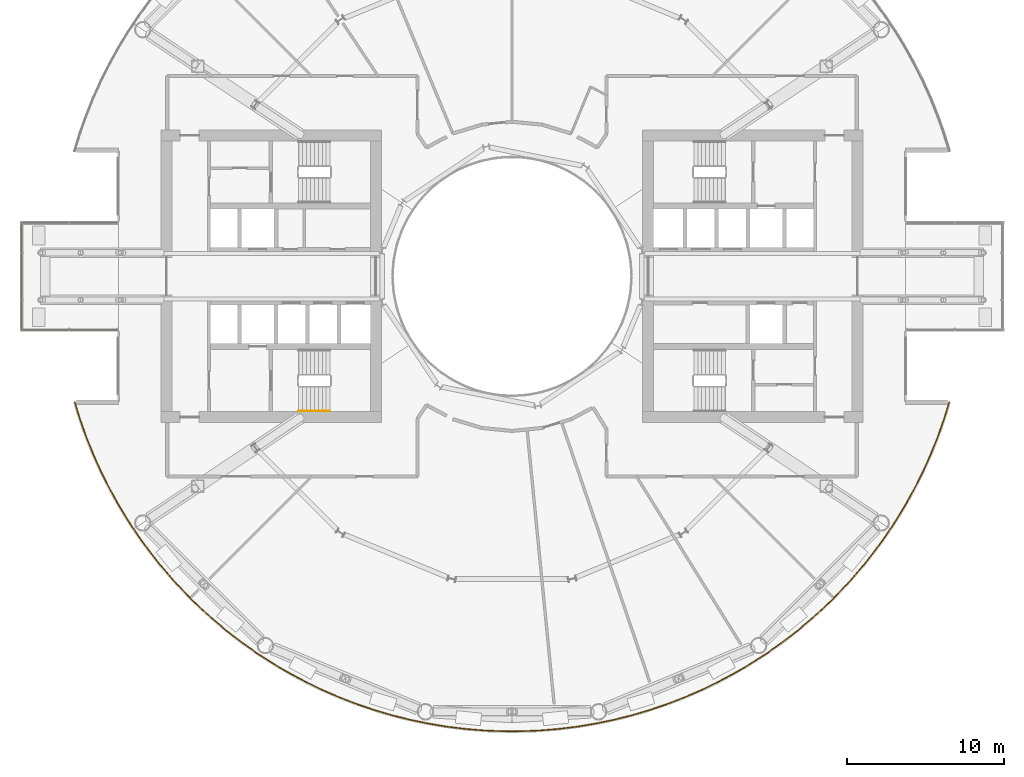
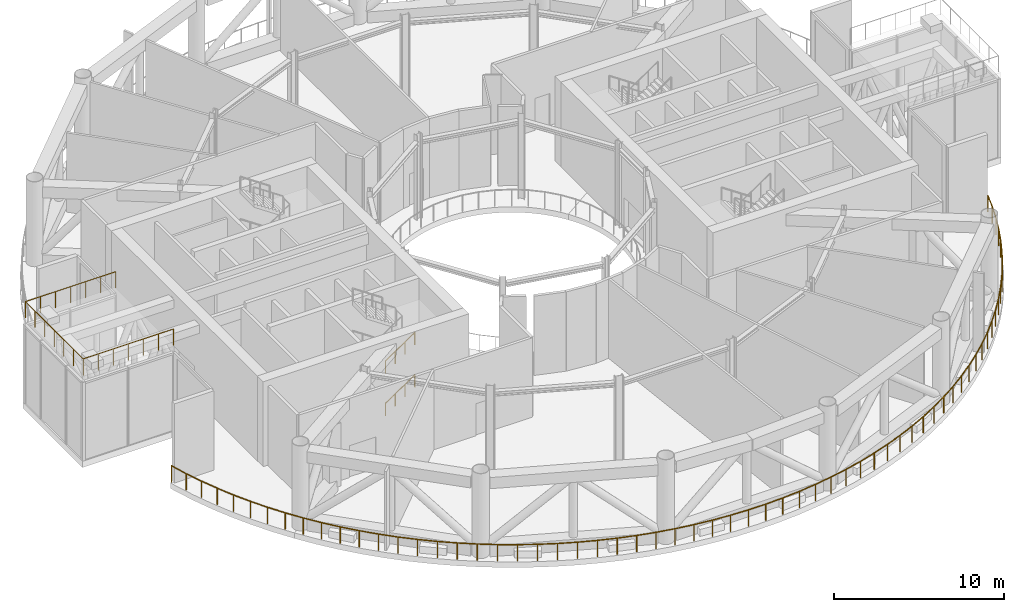
# One storey, part 19 of 23: 4 railings.
"""IFC4 building model written with IfcOpenShell, lengths in metres."""

from ifc_helpers import new_model, si_unit, direction, frame, origin, origin_2d, place, context, subcontext, project, spatial, circle, extrude, material, type_object, element, save


model = new_model("IFC4")

# Units and contexts
model_context = context("Model", 3, precision=1e-05, world=origin(), true_north=direction((0.0, 1.0)))
body_context = subcontext(model_context, "Body", "Model", "MODEL_VIEW")
ifc_project = project(units=[si_unit("LENGTHUNIT", "METRE"), si_unit("AREAUNIT", "SQUARE_METRE"), si_unit("VOLUMEUNIT", "CUBIC_METRE"), si_unit("PLANEANGLEUNIT", "RADIAN"), si_unit("MASSUNIT", "GRAM", prefix="KILO")], contexts=[model_context])

# Site, building, storey
site_placement = place(None, origin())
site = spatial("IfcSite", under=ifc_project, at=site_placement, CompositionType="ELEMENT")
building_placement = place(site_placement, origin())
building = spatial("IfcBuilding", under=site, at=building_placement, Name="Maasbend Ring Residences", CompositionType="ELEMENT")
storey_placement = place(building_placement, frame((0.0, 0.0, 97.14990234375)))
storey = spatial("IfcBuildingStorey", under=building, at=storey_placement, Name="L28", CompositionType="ELEMENT", Elevation=97.14990234375)

# Railings
ifc_material_1 = material(Name="Stainless steel 316 and glass", Category="steel")
railing_type_1 = type_object("IfcRailingType", Name="RL-GUARD", PredefinedType="GUARDRAIL", material=ifc_material_1)
railing_1_placement = place(storey_placement, frame((-27.778564453125, -7.972412109375, 0.0)))
element("IfcRailing", 1, at=railing_1_placement, inside=storey, type_object=railing_type_1, Name="Garden guard outer 2", PredefinedType="GUARDRAIL", context=body_context, shape_type="SweptSolid", body=[
    extrude(circle(Radius=0.02490234375, at=origin_2d()), frame((0.0, 0.0, 1.1748046875), z_axis=(0.295504624123, -0.95534130923, 0.0), x_axis=(0.95534130923, 0.295504624123, 0.0)), (0.0, 0.0, 1.0), 1.184814453125),
    extrude(circle(Radius=0.02490234375, at=origin_2d()), frame((0.35009765625, -1.1318359375, 1.1748046875), z_axis=(0.334285842511, -0.94247173724, 0.0), x_axis=(0.94247173724, 0.334285842511, 0.0)), (0.0, 0.0, 1.0), 1.1845703125),
    extrude(circle(Radius=0.02490234375, at=origin_2d()), frame((0.74609375, -2.248291015625, 1.1748046875), z_axis=(0.372847180885, -0.927892763042, 0.0), x_axis=(0.927892763042, 0.372847180885, 0.0)), (0.0, 0.0, 1.0), 1.1845703125),
    extrude(circle(Radius=0.02490234375, at=origin_2d()), frame((1.187744140625, -3.347412109375, 1.1748046875), z_axis=(0.410493199792, -0.911863659175, 0.0), x_axis=(0.911863659175, 0.410493199792, 0.0)), (0.0, 0.0, 1.0), 1.184814453125),
    extrude(circle(Radius=0.02490234375, at=origin_2d()), frame((1.674072265625, -4.427734375, 1.1748046875), z_axis=(0.447460908245, -0.894303491882, 0.0), x_axis=(0.894303491882, 0.447460908245, 0.0)), (0.0, 0.0, 1.0), 1.1845703125),
    extrude(circle(Radius=0.02490234375, at=origin_2d()), frame((2.2041015625, -5.487060546875, 1.1748046875), z_axis=(0.483839805506, -0.875156581766, 0.0), x_axis=(0.875156581766, 0.483839805506, 0.0)), (0.0, 0.0, 1.0), 1.184814453125),
    extrude(circle(Radius=0.02490234375, at=origin_2d()), frame((2.77734375, -6.52392578125, 1.1748046875), z_axis=(0.51915559987, -0.854679743017, 0.0), x_axis=(0.854679743017, 0.51915559987, 0.0)), (0.0, 0.0, 1.0), 1.1845703125),
    extrude(circle(Radius=0.02490234375, at=origin_2d()), frame((3.392333984375, -7.536376953125, 1.1748046875), z_axis=(0.553796190877, -0.832652255729, 0.0), x_axis=(0.832652255729, 0.553796190877, 0.0)), (0.0, 0.0, 1.0), 1.1845703125),
    extrude(circle(Radius=0.02490234375, at=origin_2d()), frame((4.04833984375, -8.522705078125, 1.1748046875), z_axis=(0.58749759803, -0.809225909317, 0.0), x_axis=(0.809225909317, 0.58749759803, 0.0)), (0.0, 0.0, 1.0), 1.184814453125),
    extrude(circle(Radius=0.02490234375, at=origin_2d()), frame((4.744384765625, -9.4814453125, 1.1748046875), z_axis=(0.620185444157, -0.78445523445, 0.0), x_axis=(0.78445523445, 0.620185444157, 0.0)), (0.0, 0.0, 1.0), 1.1845703125),
    extrude(circle(Radius=0.02490234375, at=origin_2d()), frame((5.47900390625, -10.41064453125, 1.1748046875), z_axis=(0.65182600946, -0.758368547206, 0.0), x_axis=(0.758368547206, 0.65182600946, 0.0)), (0.0, 0.0, 1.0), 1.184814453125),
    extrude(circle(Radius=0.02490234375, at=origin_2d()), frame((6.251220703125, -11.30908203125, 1.1748046875), z_axis=(0.682156690758, -0.731206023809, 0.0), x_axis=(0.731206023809, 0.682156690758, 0.0)), (0.0, 0.0, 1.0), 1.1845703125),
    extrude(circle(Radius=0.02490234375, at=origin_2d()), frame((7.059326171875, -12.17529296875, 1.1748046875), z_axis=(0.711830937603, -0.702350849841, 0.0), x_axis=(0.702350849841, 0.711830937603, 0.0)), (0.0, 0.0, 1.0), 1.1845703125),
    extrude(circle(Radius=0.02490234375, at=origin_2d()), frame((7.902587890625, -13.00732421875, 1.1748046875), z_axis=(0.739800189204, -0.672826634471, 0.0), x_axis=(0.672826634471, 0.739800189204, 0.0)), (0.0, 0.0, 1.0), 1.184814453125),
    extrude(circle(Radius=0.02490234375, at=origin_2d()), frame((8.779052734375, -13.804443359375, 1.1748046875), z_axis=(0.766885051085, -0.641784479731, 0.0), x_axis=(0.641784479731, 0.766885051085, 0.0)), (0.0, 0.0, 1.0), 1.1845703125),
    extrude(circle(Radius=0.02490234375, at=origin_2d()), frame((9.6875, -14.564697265625, 1.1748046875), z_axis=(0.792493715501, -0.609880079107, 0.0), x_axis=(0.609880079107, 0.792493715501, 0.0)), (0.0, 0.0, 1.0), 1.1845703125),
    extrude(circle(Radius=0.02490234375, at=origin_2d()), frame((10.626220703125, -15.287109375, 1.1748046875), z_axis=(0.816785089041, -0.576942040695, 0.0), x_axis=(0.576942040695, 0.816785089041, 0.0)), (0.0, 0.0, 1.0), 1.184814453125),
    extrude(circle(Radius=0.02490234375, at=origin_2d()), frame((11.593994140625, -15.970703125, 1.1748046875), z_axis=(0.839829939632, -0.542849585519, 0.0), x_axis=(0.542849585519, 0.839829939632, 0.0)), (0.0, 0.0, 1.0), 1.1845703125),
    extrude(circle(Radius=0.02490234375, at=origin_2d()), frame((12.5888671875, -16.61376953125, 1.1748046875), z_axis=(0.861324276781, -0.508055597575, 0.0), x_axis=(0.508055597575, 0.861324276781, 0.0)), (0.0, 0.0, 1.0), 1.1845703125),
    extrude(circle(Radius=0.02490234375, at=origin_2d()), frame((13.609130859375, -17.215576171875, 1.1748046875), z_axis=(0.881415624836, -0.472341503887, 0.0), x_axis=(0.472341503887, 0.881415624836, 0.0)), (0.0, 0.0, 1.0), 1.1845703125),
    extrude(circle(Radius=0.02490234375, at=origin_2d()), frame((14.6533203125, -17.775146484375, 1.1748046875), z_axis=(0.900002799964, -0.435884113104, 0.0), x_axis=(0.435884113104, 0.900002799964, 0.0)), (0.0, 0.0, 1.0), 1.1845703125),
    extrude(circle(Radius=0.02490234375, at=origin_2d()), frame((15.719482421875, -18.29150390625, 1.1748046875), z_axis=(0.917129024526, -0.398590456951, 0.0), x_axis=(0.398590456951, 0.917129024526, 0.0)), (0.0, 0.0, 1.0), 1.1845703125),
    extrude(circle(Radius=0.02490234375, at=origin_2d()), frame((16.805908203125, -18.763671875, 1.1748046875), z_axis=(0.932706782024, -0.360635631582, 0.0), x_axis=(0.360635631582, 0.932706782024, 0.0)), (0.0, 0.0, 1.0), 1.184814453125),
    extrude(circle(Radius=0.02490234375, at=origin_2d()), frame((17.910888671875, -19.19091796875, 1.1748046875), z_axis=(0.946770232419, -0.321910122559, 0.0), x_axis=(0.321910122559, 0.946770232419, 0.0)), (0.0, 0.0, 1.0), 1.1845703125),
    extrude(circle(Radius=0.02490234375, at=origin_2d()), frame((19.032470703125, -19.572265625, 1.1748046875), z_axis=(0.959076230705, -0.283147989039, 0.0), x_axis=(0.283147989039, 0.959076230705, 0.0)), (0.0, 0.0, 1.0), 1.184814453125),
    extrude(circle(Radius=0.02490234375, at=origin_2d()), frame((20.168701171875, -19.90771484375, 1.1748046875), z_axis=(0.969923880017, -0.243408436528, 0.0), x_axis=(0.243408436528, 0.969923880017, 0.0)), (0.0, 0.0, 1.0), 1.1845703125),
    extrude(circle(Radius=0.02490234375, at=origin_2d()), frame((21.317626953125, -20.196044921875, 1.1748046875), z_axis=(0.979054075839, -0.203600384536, 0.0), x_axis=(0.203600384536, 0.979054075839, 0.0)), (0.0, 0.0, 1.0), 1.184814453125),
    extrude(circle(Radius=0.02490234375, at=origin_2d()), frame((22.4775390625, -20.437255859375, 1.1748046875), z_axis=(0.986588187234, -0.163229129787, 0.0), x_axis=(0.163229129787, 0.986588187234, 0.0)), (0.0, 0.0, 1.0), 1.1845703125),
    extrude(circle(Radius=0.02490234375, at=origin_2d()), frame((23.646240234375, -20.630615234375, 1.1748046875), z_axis=(0.992454401235, -0.122614279222, 0.0), x_axis=(0.122614279222, 0.992454401235, 0.0)), (0.0, 0.0, 1.0), 1.184814453125),
    extrude(circle(Radius=0.02490234375, at=origin_2d()), frame((24.822021484375, -20.77587890625, 1.1748046875), z_axis=(0.996630509683, -0.082022113907, 0.0), x_axis=(0.082022113907, 0.996630509683, 0.0)), (0.0, 0.0, 1.0), 1.1845703125),
    extrude(circle(Radius=0.02490234375, at=origin_2d()), frame((26.002685546875, -20.873046875, 1.1748046875), z_axis=(0.999158599932, -0.041013317118, 0.0), x_axis=(0.041013317118, 0.999158599932, 0.0)), (0.0, 0.0, 1.0), 1.1845703125),
    extrude(circle(Radius=0.02490234375, at=origin_2d()), frame((27.186279296875, -20.921630859375, 1.1748046875), z_axis=(1.0, 0.0, 0.0), x_axis=(0.0, 1.0, 0.0)), (0.0, 0.0, 1.0), 1.1845703125),
    extrude(circle(Radius=0.02490234375, at=origin_2d()), frame((28.370849609375, -20.921630859375, 1.1748046875), z_axis=(0.999158599932, 0.041013317118, 0.0), x_axis=(-0.041013317118, 0.999158599932, 0.0)), (0.0, 0.0, 1.0), 1.1845703125),
    extrude(circle(Radius=0.02490234375, at=origin_2d()), frame((29.554443359375, -20.873046875, 1.1748046875), z_axis=(0.996630509683, 0.082022113907, 0.0), x_axis=(-0.082022113907, 0.996630509683, 0.0)), (0.0, 0.0, 1.0), 1.1845703125),
    extrude(circle(Radius=0.02490234375, at=origin_2d()), frame((30.735107421875, -20.77587890625, 1.1748046875), z_axis=(0.992454401235, 0.122614279222, 0.0), x_axis=(-0.122614279222, 0.992454401235, 0.0)), (0.0, 0.0, 1.0), 1.184814453125),
    extrude(circle(Radius=0.02490234375, at=origin_2d()), frame((31.910888671875, -20.630615234375, 1.1748046875), z_axis=(0.986588187234, 0.163229129787, 0.0), x_axis=(-0.163229129787, 0.986588187234, 0.0)), (0.0, 0.0, 1.0), 1.1845703125),
    extrude(circle(Radius=0.02490234375, at=origin_2d()), frame((33.07958984375, -20.437255859375, 1.1748046875), z_axis=(0.979054075839, 0.203600384536, 0.0), x_axis=(-0.203600384536, 0.979054075839, 0.0)), (0.0, 0.0, 1.0), 1.184814453125),
    extrude(circle(Radius=0.02490234375, at=origin_2d()), frame((34.239501953125, -20.196044921875, 1.1748046875), z_axis=(0.969923880017, 0.243408436528, 0.0), x_axis=(-0.243408436528, 0.969923880017, 0.0)), (0.0, 0.0, 1.0), 1.1845703125),
    extrude(circle(Radius=0.02490234375, at=origin_2d()), frame((35.388427734375, -19.90771484375, 1.1748046875), z_axis=(0.959076230705, 0.283147989039, 0.0), x_axis=(-0.283147989039, 0.959076230705, 0.0)), (0.0, 0.0, 1.0), 1.184814453125),
    extrude(circle(Radius=0.02490234375, at=origin_2d()), frame((36.524658203125, -19.572265625, 1.1748046875), z_axis=(0.946770232419, 0.321910122559, 0.0), x_axis=(-0.321910122559, 0.946770232419, 0.0)), (0.0, 0.0, 1.0), 1.1845703125),
    extrude(circle(Radius=0.02490234375, at=origin_2d()), frame((37.646240234375, -19.19091796875, 1.1748046875), z_axis=(0.932706782024, 0.360635631582, 0.0), x_axis=(-0.360635631582, 0.932706782024, 0.0)), (0.0, 0.0, 1.0), 1.184814453125),
    extrude(circle(Radius=0.02490234375, at=origin_2d()), frame((38.751220703125, -18.763671875, 1.1748046875), z_axis=(0.917129024526, 0.398590456951, 0.0), x_axis=(-0.398590456951, 0.917129024526, 0.0)), (0.0, 0.0, 1.0), 1.1845703125),
    extrude(circle(Radius=0.02490234375, at=origin_2d()), frame((39.837646484375, -18.29150390625, 1.1748046875), z_axis=(0.900002799964, 0.435884113104, 0.0), x_axis=(-0.435884113104, 0.900002799964, 0.0)), (0.0, 0.0, 1.0), 1.1845703125),
    extrude(circle(Radius=0.02490234375, at=origin_2d()), frame((40.90380859375, -17.775146484375, 1.1748046875), z_axis=(0.881415624836, 0.472341503887, 0.0), x_axis=(-0.472341503887, 0.881415624836, 0.0)), (0.0, 0.0, 1.0), 1.1845703125),
    extrude(circle(Radius=0.02490234375, at=origin_2d()), frame((41.947998046875, -17.215576171875, 1.1748046875), z_axis=(0.861324276781, 0.508055597575, 0.0), x_axis=(-0.508055597575, 0.861324276781, 0.0)), (0.0, 0.0, 1.0), 1.1845703125),
    extrude(circle(Radius=0.02490234375, at=origin_2d()), frame((42.96826171875, -16.61376953125, 1.1748046875), z_axis=(0.839829939632, 0.542849585519, 0.0), x_axis=(-0.542849585519, 0.839829939632, 0.0)), (0.0, 0.0, 1.0), 1.1845703125),
    extrude(circle(Radius=0.02490234375, at=origin_2d()), frame((43.963134765625, -15.970703125, 1.1748046875), z_axis=(0.816785089041, 0.576942040695, 0.0), x_axis=(-0.576942040695, 0.816785089041, 0.0)), (0.0, 0.0, 1.0), 1.184814453125),
    extrude(circle(Radius=0.02490234375, at=origin_2d()), frame((44.930908203125, -15.287109375, 1.1748046875), z_axis=(0.792493715501, 0.609880079107, 0.0), x_axis=(-0.609880079107, 0.792493715501, 0.0)), (0.0, 0.0, 1.0), 1.1845703125),
    extrude(circle(Radius=0.02490234375, at=origin_2d()), frame((45.86962890625, -14.564697265625, 1.1748046875), z_axis=(0.766885051085, 0.641784479731, 0.0), x_axis=(-0.641784479731, 0.766885051085, 0.0)), (0.0, 0.0, 1.0), 1.1845703125),
    extrude(circle(Radius=0.02490234375, at=origin_2d()), frame((46.778076171875, -13.804443359375, 1.1748046875), z_axis=(0.739800189204, 0.672826634471, 0.0), x_axis=(-0.672826634471, 0.739800189204, 0.0)), (0.0, 0.0, 1.0), 1.184814453125),
    extrude(circle(Radius=0.02490234375, at=origin_2d()), frame((47.654541015625, -13.00732421875, 1.1748046875), z_axis=(0.711830937603, 0.702350849841, 0.0), x_axis=(-0.702350849841, 0.711830937603, 0.0)), (0.0, 0.0, 1.0), 1.1845703125),
    extrude(circle(Radius=0.02490234375, at=origin_2d()), frame((48.497802734375, -12.17529296875, 1.1748046875), z_axis=(0.682156690758, 0.731206023809, 0.0), x_axis=(-0.731206023809, 0.682156690758, 0.0)), (0.0, 0.0, 1.0), 1.1845703125),
    extrude(circle(Radius=0.02490234375, at=origin_2d()), frame((49.305908203125, -11.30908203125, 1.1748046875), z_axis=(0.65182600946, 0.758368547206, 0.0), x_axis=(-0.758368547206, 0.65182600946, 0.0)), (0.0, 0.0, 1.0), 1.184814453125),
    extrude(circle(Radius=0.02490234375, at=origin_2d()), frame((50.078125, -10.41064453125, 1.1748046875), z_axis=(0.620185444157, 0.78445523445, 0.0), x_axis=(-0.78445523445, 0.620185444157, 0.0)), (0.0, 0.0, 1.0), 1.1845703125),
    extrude(circle(Radius=0.02490234375, at=origin_2d()), frame((50.812744140625, -9.4814453125, 1.1748046875), z_axis=(0.58749759803, 0.809225909317, 0.0), x_axis=(-0.809225909317, 0.58749759803, 0.0)), (0.0, 0.0, 1.0), 1.184814453125),
    extrude(circle(Radius=0.02490234375, at=origin_2d()), frame((51.5087890625, -8.522705078125, 1.1748046875), z_axis=(0.553796190877, 0.832652255729, 0.0), x_axis=(-0.832652255729, 0.553796190877, 0.0)), (0.0, 0.0, 1.0), 1.1845703125),
    extrude(circle(Radius=0.02490234375, at=origin_2d()), frame((52.164794921875, -7.536376953125, 1.1748046875), z_axis=(0.51915559987, 0.854679743017, 0.0), x_axis=(-0.854679743017, 0.51915559987, 0.0)), (0.0, 0.0, 1.0), 1.1845703125),
    extrude(circle(Radius=0.02490234375, at=origin_2d()), frame((52.77978515625, -6.52392578125, 1.1748046875), z_axis=(0.483839805506, 0.875156581766, 0.0), x_axis=(-0.875156581766, 0.483839805506, 0.0)), (0.0, 0.0, 1.0), 1.184814453125),
    extrude(circle(Radius=0.02490234375, at=origin_2d()), frame((53.35302734375, -5.487060546875, 1.1748046875), z_axis=(0.447460908245, 0.894303491882, 0.0), x_axis=(-0.894303491882, 0.447460908245, 0.0)), (0.0, 0.0, 1.0), 1.1845703125),
    extrude(circle(Radius=0.02490234375, at=origin_2d()), frame((53.883056640625, -4.427734375, 1.1748046875), z_axis=(0.410493199792, 0.911863659175, 0.0), x_axis=(-0.911863659175, 0.410493199792, 0.0)), (0.0, 0.0, 1.0), 1.184814453125),
    extrude(circle(Radius=0.02490234375, at=origin_2d()), frame((54.369384765625, -3.347412109375, 1.1748046875), z_axis=(0.372847180885, 0.927892763042, 0.0), x_axis=(-0.927892763042, 0.372847180885, 0.0)), (0.0, 0.0, 1.0), 1.1845703125),
    extrude(circle(Radius=0.02490234375, at=origin_2d()), frame((54.81103515625, -2.248291015625, 1.1748046875), z_axis=(0.334285842511, 0.94247173724, 0.0), x_axis=(-0.94247173724, 0.334285842511, 0.0)), (0.0, 0.0, 1.0), 1.1845703125),
    extrude(circle(Radius=0.02490234375, at=origin_2d()), frame((55.20703125, -1.1318359375, 1.1748046875), z_axis=(0.295504624123, 0.95534130923, 0.0), x_axis=(-0.95534130923, 0.295504624123, 0.0)), (0.0, 0.0, 1.0), 1.184814453125),
    extrude(circle(Radius=0.02001953125, at=origin_2d()), origin(), (0.0, 0.0, 1.0), 1.14990234375),
    extrude(circle(Radius=0.02001953125, at=origin_2d()), frame((0.35009765625, -1.1318359375, 0.0)), (0.0, 0.0, 1.0), 1.14990234375),
    extrude(circle(Radius=0.02001953125, at=origin_2d()), frame((0.74609375, -2.248291015625, 0.0)), (0.0, 0.0, 1.0), 1.14990234375),
    extrude(circle(Radius=0.02001953125, at=origin_2d()), frame((1.187744140625, -3.347412109375, 0.0)), (0.0, 0.0, 1.0), 1.14990234375),
    extrude(circle(Radius=0.02001953125, at=origin_2d()), frame((1.674072265625, -4.427734375, 0.0)), (0.0, 0.0, 1.0), 1.14990234375),
    extrude(circle(Radius=0.02001953125, at=origin_2d()), frame((2.2041015625, -5.487060546875, 0.0)), (0.0, 0.0, 1.0), 1.14990234375),
    extrude(circle(Radius=0.02001953125, at=origin_2d()), frame((2.77734375, -6.52392578125, 0.0)), (0.0, 0.0, 1.0), 1.14990234375),
    extrude(circle(Radius=0.02001953125, at=origin_2d()), frame((3.392333984375, -7.536376953125, 0.0)), (0.0, 0.0, 1.0), 1.14990234375),
    extrude(circle(Radius=0.02001953125, at=origin_2d()), frame((4.04833984375, -8.522705078125, 0.0)), (0.0, 0.0, 1.0), 1.14990234375),
    extrude(circle(Radius=0.02001953125, at=origin_2d()), frame((4.744384765625, -9.4814453125, 0.0)), (0.0, 0.0, 1.0), 1.14990234375),
    extrude(circle(Radius=0.02001953125, at=origin_2d()), frame((5.47900390625, -10.41064453125, 0.0)), (0.0, 0.0, 1.0), 1.14990234375),
    extrude(circle(Radius=0.02001953125, at=origin_2d()), frame((6.251220703125, -11.30908203125, 0.0)), (0.0, 0.0, 1.0), 1.14990234375),
    extrude(circle(Radius=0.02001953125, at=origin_2d()), frame((7.059326171875, -12.17529296875, 0.0)), (0.0, 0.0, 1.0), 1.14990234375),
    extrude(circle(Radius=0.02001953125, at=origin_2d()), frame((7.902587890625, -13.00732421875, 0.0)), (0.0, 0.0, 1.0), 1.14990234375),
    extrude(circle(Radius=0.02001953125, at=origin_2d()), frame((8.779052734375, -13.804443359375, 0.0)), (0.0, 0.0, 1.0), 1.14990234375),
    extrude(circle(Radius=0.02001953125, at=origin_2d()), frame((9.6875, -14.564697265625, 0.0)), (0.0, 0.0, 1.0), 1.14990234375),
    extrude(circle(Radius=0.02001953125, at=origin_2d()), frame((10.626220703125, -15.287109375, 0.0)), (0.0, 0.0, 1.0), 1.14990234375),
    extrude(circle(Radius=0.02001953125, at=origin_2d()), frame((11.593994140625, -15.970703125, 0.0)), (0.0, 0.0, 1.0), 1.14990234375),
    extrude(circle(Radius=0.02001953125, at=origin_2d()), frame((12.5888671875, -16.61376953125, 0.0)), (0.0, 0.0, 1.0), 1.14990234375),
    extrude(circle(Radius=0.02001953125, at=origin_2d()), frame((13.609130859375, -17.215576171875, 0.0)), (0.0, 0.0, 1.0), 1.14990234375),
    extrude(circle(Radius=0.02001953125, at=origin_2d()), frame((14.6533203125, -17.775146484375, 0.0)), (0.0, 0.0, 1.0), 1.14990234375),
    extrude(circle(Radius=0.02001953125, at=origin_2d()), frame((15.719482421875, -18.29150390625, 0.0)), (0.0, 0.0, 1.0), 1.14990234375),
    extrude(circle(Radius=0.02001953125, at=origin_2d()), frame((16.805908203125, -18.763671875, 0.0)), (0.0, 0.0, 1.0), 1.14990234375),
    extrude(circle(Radius=0.02001953125, at=origin_2d()), frame((17.910888671875, -19.19091796875, 0.0)), (0.0, 0.0, 1.0), 1.14990234375),
    extrude(circle(Radius=0.02001953125, at=origin_2d()), frame((19.032470703125, -19.572265625, 0.0)), (0.0, 0.0, 1.0), 1.14990234375),
    extrude(circle(Radius=0.02001953125, at=origin_2d()), frame((20.168701171875, -19.90771484375, 0.0)), (0.0, 0.0, 1.0), 1.14990234375),
    extrude(circle(Radius=0.02001953125, at=origin_2d()), frame((21.317626953125, -20.196044921875, 0.0)), (0.0, 0.0, 1.0), 1.14990234375),
    extrude(circle(Radius=0.02001953125, at=origin_2d()), frame((22.4775390625, -20.437255859375, 0.0)), (0.0, 0.0, 1.0), 1.14990234375),
    extrude(circle(Radius=0.02001953125, at=origin_2d()), frame((23.646240234375, -20.630615234375, 0.0)), (0.0, 0.0, 1.0), 1.14990234375),
    extrude(circle(Radius=0.02001953125, at=origin_2d()), frame((24.822021484375, -20.77587890625, 0.0)), (0.0, 0.0, 1.0), 1.14990234375),
    extrude(circle(Radius=0.02001953125, at=origin_2d()), frame((26.002685546875, -20.873046875, 0.0)), (0.0, 0.0, 1.0), 1.14990234375),
    extrude(circle(Radius=0.02001953125, at=origin_2d()), frame((27.186279296875, -20.921630859375, 0.0)), (0.0, 0.0, 1.0), 1.14990234375),
    extrude(circle(Radius=0.02001953125, at=origin_2d()), frame((28.370849609375, -20.921630859375, 0.0)), (0.0, 0.0, 1.0), 1.14990234375),
    extrude(circle(Radius=0.02001953125, at=origin_2d()), frame((29.554443359375, -20.873046875, 0.0)), (0.0, 0.0, 1.0), 1.14990234375),
    extrude(circle(Radius=0.02001953125, at=origin_2d()), frame((30.735107421875, -20.77587890625, 0.0)), (0.0, 0.0, 1.0), 1.14990234375),
    extrude(circle(Radius=0.02001953125, at=origin_2d()), frame((31.910888671875, -20.630615234375, 0.0)), (0.0, 0.0, 1.0), 1.14990234375),
    extrude(circle(Radius=0.02001953125, at=origin_2d()), frame((33.07958984375, -20.437255859375, 0.0)), (0.0, 0.0, 1.0), 1.14990234375),
    extrude(circle(Radius=0.02001953125, at=origin_2d()), frame((34.239501953125, -20.196044921875, 0.0)), (0.0, 0.0, 1.0), 1.14990234375),
    extrude(circle(Radius=0.02001953125, at=origin_2d()), frame((35.388427734375, -19.90771484375, 0.0)), (0.0, 0.0, 1.0), 1.14990234375),
    extrude(circle(Radius=0.02001953125, at=origin_2d()), frame((36.524658203125, -19.572265625, 0.0)), (0.0, 0.0, 1.0), 1.14990234375),
    extrude(circle(Radius=0.02001953125, at=origin_2d()), frame((37.646240234375, -19.19091796875, 0.0)), (0.0, 0.0, 1.0), 1.14990234375),
    extrude(circle(Radius=0.02001953125, at=origin_2d()), frame((38.751220703125, -18.763671875, 0.0)), (0.0, 0.0, 1.0), 1.14990234375),
    extrude(circle(Radius=0.02001953125, at=origin_2d()), frame((39.837646484375, -18.29150390625, 0.0)), (0.0, 0.0, 1.0), 1.14990234375),
    extrude(circle(Radius=0.02001953125, at=origin_2d()), frame((40.90380859375, -17.775146484375, 0.0)), (0.0, 0.0, 1.0), 1.14990234375),
    extrude(circle(Radius=0.02001953125, at=origin_2d()), frame((41.947998046875, -17.215576171875, 0.0)), (0.0, 0.0, 1.0), 1.14990234375),
    extrude(circle(Radius=0.02001953125, at=origin_2d()), frame((42.96826171875, -16.61376953125, 0.0)), (0.0, 0.0, 1.0), 1.14990234375),
    extrude(circle(Radius=0.02001953125, at=origin_2d()), frame((43.963134765625, -15.970703125, 0.0)), (0.0, 0.0, 1.0), 1.14990234375),
    extrude(circle(Radius=0.02001953125, at=origin_2d()), frame((44.930908203125, -15.287109375, 0.0)), (0.0, 0.0, 1.0), 1.14990234375),
    extrude(circle(Radius=0.02001953125, at=origin_2d()), frame((45.86962890625, -14.564697265625, 0.0)), (0.0, 0.0, 1.0), 1.14990234375),
    extrude(circle(Radius=0.02001953125, at=origin_2d()), frame((46.778076171875, -13.804443359375, 0.0)), (0.0, 0.0, 1.0), 1.14990234375),
    extrude(circle(Radius=0.02001953125, at=origin_2d()), frame((47.654541015625, -13.00732421875, 0.0)), (0.0, 0.0, 1.0), 1.14990234375),
    extrude(circle(Radius=0.02001953125, at=origin_2d()), frame((48.497802734375, -12.17529296875, 0.0)), (0.0, 0.0, 1.0), 1.14990234375),
    extrude(circle(Radius=0.02001953125, at=origin_2d()), frame((49.305908203125, -11.30908203125, 0.0)), (0.0, 0.0, 1.0), 1.14990234375),
    extrude(circle(Radius=0.02001953125, at=origin_2d()), frame((50.078125, -10.41064453125, 0.0)), (0.0, 0.0, 1.0), 1.14990234375),
    extrude(circle(Radius=0.02001953125, at=origin_2d()), frame((50.812744140625, -9.4814453125, 0.0)), (0.0, 0.0, 1.0), 1.14990234375),
    extrude(circle(Radius=0.02001953125, at=origin_2d()), frame((51.5087890625, -8.522705078125, 0.0)), (0.0, 0.0, 1.0), 1.14990234375),
    extrude(circle(Radius=0.02001953125, at=origin_2d()), frame((52.164794921875, -7.536376953125, 0.0)), (0.0, 0.0, 1.0), 1.14990234375),
    extrude(circle(Radius=0.02001953125, at=origin_2d()), frame((52.77978515625, -6.52392578125, 0.0)), (0.0, 0.0, 1.0), 1.14990234375),
    extrude(circle(Radius=0.02001953125, at=origin_2d()), frame((53.35302734375, -5.487060546875, 0.0)), (0.0, 0.0, 1.0), 1.14990234375),
    extrude(circle(Radius=0.02001953125, at=origin_2d()), frame((53.883056640625, -4.427734375, 0.0)), (0.0, 0.0, 1.0), 1.14990234375),
    extrude(circle(Radius=0.02001953125, at=origin_2d()), frame((54.369384765625, -3.347412109375, 0.0)), (0.0, 0.0, 1.0), 1.14990234375),
    extrude(circle(Radius=0.02001953125, at=origin_2d()), frame((54.81103515625, -2.248291015625, 0.0)), (0.0, 0.0, 1.0), 1.14990234375),
    extrude(circle(Radius=0.02001953125, at=origin_2d()), frame((55.20703125, -1.1318359375, 0.0)), (0.0, 0.0, 1.0), 1.14990234375),
    extrude(circle(Radius=0.02001953125, at=origin_2d()), frame((55.55712890625, 0.0, 0.0)), (0.0, 0.0, 1.0), 1.14990234375),
])
railing_2_placement = place(storey_placement, frame((-25.0, -3.39990234375, 6.10009765625)))
element("IfcRailing", 2, at=railing_2_placement, inside=storey, type_object=railing_type_1, Name="Roof terrace guard", PredefinedType="GUARDRAIL", context=body_context, shape_type="SweptSolid", body=[
    extrude(circle(Radius=0.02490234375, at=origin_2d()), frame((0.0, 0.0, 1.1748046875), z_axis=(-1.0, 0.0, 0.0), x_axis=(0.0, -1.0, 0.0)), (0.0, 0.0, 1.0), 6.14990234375),
    extrude(circle(Radius=0.02490234375, at=origin_2d()), frame((-6.14990234375, 0.0, 1.1748046875), z_axis=(0.0, 1.0, 0.0), x_axis=(-1.0, 0.0, 0.0)), (0.0, 0.0, 1.0), 6.7998046875),
    extrude(circle(Radius=0.02490234375, at=origin_2d()), frame((-6.14990234375, 6.7998046875, 1.1748046875), z_axis=(1.0, 0.0, 0.0), x_axis=(0.0, 1.0, 0.0)), (0.0, 0.0, 1.0), 6.14990234375),
    extrude(circle(Radius=0.02001953125, at=origin_2d()), origin(), (0.0, 0.0, 1.0), 1.14990234375),
    extrude(circle(Radius=0.02001953125, at=origin_2d()), frame((-1.02490234375, 0.0, 0.0)), (0.0, 0.0, 1.0), 1.14990234375),
    extrude(circle(Radius=0.02001953125, at=origin_2d()), frame((-2.050048828125, 0.0, 0.0)), (0.0, 0.0, 1.0), 1.14990234375),
    extrude(circle(Radius=0.02001953125, at=origin_2d()), frame((-3.074951171875, 0.0, 0.0)), (0.0, 0.0, 1.0), 1.14990234375),
    extrude(circle(Radius=0.02001953125, at=origin_2d()), frame((-4.099853515625, 0.0, 0.0)), (0.0, 0.0, 1.0), 1.14990234375),
    extrude(circle(Radius=0.02001953125, at=origin_2d()), frame((-5.125, 0.0, 0.0)), (0.0, 0.0, 1.0), 1.14990234375),
    extrude(circle(Radius=0.02001953125, at=origin_2d()), frame((-6.14990234375, 0.0, 0.0)), (0.0, 0.0, 1.0), 1.14990234375),
    extrude(circle(Radius=0.02001953125, at=origin_2d()), frame((-6.14990234375, 1.13330078125, 0.0)), (0.0, 0.0, 1.0), 1.14990234375),
    extrude(circle(Radius=0.02001953125, at=origin_2d()), frame((-6.14990234375, 2.2666015625, 0.0)), (0.0, 0.0, 1.0), 1.14990234375),
    extrude(circle(Radius=0.02001953125, at=origin_2d()), frame((-6.14990234375, 3.39990234375, 0.0)), (0.0, 0.0, 1.0), 1.14990234375),
    extrude(circle(Radius=0.02001953125, at=origin_2d()), frame((-6.14990234375, 4.533203125, 0.0)), (0.0, 0.0, 1.0), 1.14990234375),
    extrude(circle(Radius=0.02001953125, at=origin_2d()), frame((-6.14990234375, 5.66650390625, 0.0)), (0.0, 0.0, 1.0), 1.14990234375),
    extrude(circle(Radius=0.02001953125, at=origin_2d()), frame((-6.14990234375, 6.7998046875, 0.0)), (0.0, 0.0, 1.0), 1.14990234375),
    extrude(circle(Radius=0.02001953125, at=origin_2d()), frame((-5.125, 6.7998046875, 0.0)), (0.0, 0.0, 1.0), 1.14990234375),
    extrude(circle(Radius=0.02001953125, at=origin_2d()), frame((-4.099853515625, 6.7998046875, 0.0)), (0.0, 0.0, 1.0), 1.14990234375),
    extrude(circle(Radius=0.02001953125, at=origin_2d()), frame((-3.074951171875, 6.7998046875, 0.0)), (0.0, 0.0, 1.0), 1.14990234375),
    extrude(circle(Radius=0.02001953125, at=origin_2d()), frame((-2.050048828125, 6.7998046875, 0.0)), (0.0, 0.0, 1.0), 1.14990234375),
    extrude(circle(Radius=0.02001953125, at=origin_2d()), frame((-1.02490234375, 6.7998046875, 0.0)), (0.0, 0.0, 1.0), 1.14990234375),
    extrude(circle(Radius=0.02001953125, at=origin_2d()), frame((0.0, 6.7998046875, 0.0)), (0.0, 0.0, 1.0), 1.14990234375),
])
ifc_material_2 = material(Name="Stainless steel 316", Category="steel")
railing_type_2 = type_object("IfcRailingType", Name="STAIR HANDRAIL 900", PredefinedType="HANDRAIL", material=ifc_material_2)
for number, where, name in (
    (3, (-13.550048828125, -8.550048828125, 0.16943359375), "L28 ST-W1 stair handrail 1"),
    (4, (-13.550048828125, -8.550048828125, 3.219482421875), "L28 ST-W1 stair handrail 3"),
):
    element("IfcRailing", number, at=place(storey_placement, frame(where)), inside=storey, type_object=railing_type_2, Name=name, PredefinedType="HANDRAIL", context=body_context, shape_type="SweptSolid", body=[
        extrude(circle(Radius=0.02392578125, at=origin_2d()), frame((0.0, 0.0, 0.8759765625), z_axis=(0.827750655447, 0.0, 0.561096116906), x_axis=(0.0, 1.0, 0.0)), (0.0, 0.0, 1.0), 2.416259765625),
        extrude(circle(Radius=0.02099609375, at=origin_2d()), origin(), (0.0, 0.0, 1.0), 0.851806640625),
        extrude(circle(Radius=0.02099609375, at=origin_2d()), frame((0.666748046875, 0.0, 0.451904296875)), (0.0, 0.0, 1.0), 0.851806640625),
        extrude(circle(Radius=0.02099609375, at=origin_2d()), frame((1.333251953125, 0.0, 0.90380859375)), (0.0, 0.0, 1.0), 0.851806640625),
        extrude(circle(Radius=0.02099609375, at=origin_2d()), frame((2.0, 0.0, 1.355712890625)), (0.0, 0.0, 1.0), 0.851806640625),
    ])

save(model, "model.ifc")
